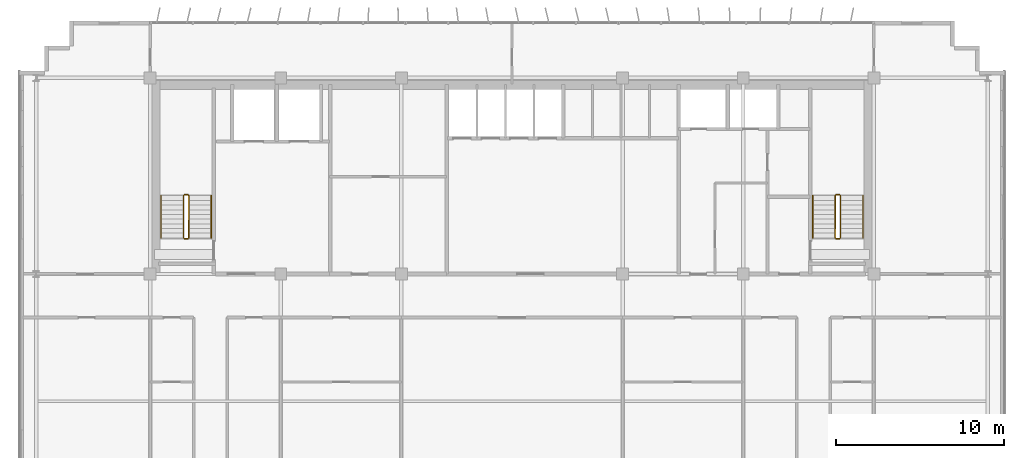
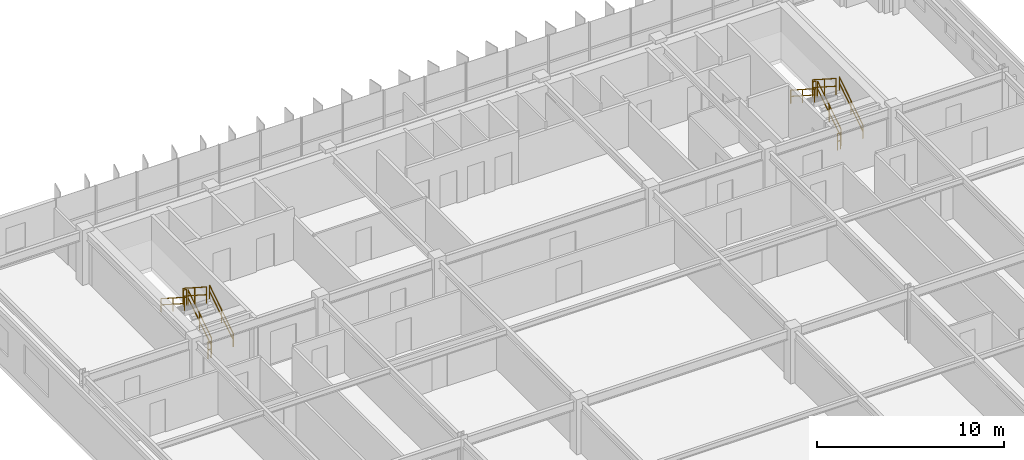
# One storey, part 20 of 20: 12 railings.
"""IFC4 building model written with IfcOpenShell, lengths in metres."""

from ifc_helpers import new_model, si_unit, direction, frame, origin, origin_2d, place, context, subcontext, project, spatial, rectangle, extrude, material, type_object, element, save


model = new_model("IFC4")

# Units and contexts
model_context = context("Model", 3, precision=1e-05, world=origin(), true_north=direction((0.0, 1.0)))
body_context = subcontext(model_context, "Body", "Model", "MODEL_VIEW")
ifc_project = project(units=[si_unit("LENGTHUNIT", "METRE"), si_unit("AREAUNIT", "SQUARE_METRE"), si_unit("VOLUMEUNIT", "CUBIC_METRE"), si_unit("PLANEANGLEUNIT", "RADIAN"), si_unit("MASSUNIT", "GRAM", prefix="KILO")], contexts=[model_context])

# Site, building, storey
site_placement = place(None, origin())
site = spatial("IfcSite", under=ifc_project, at=site_placement, CompositionType="ELEMENT")
building_placement = place(site_placement, origin())
building = spatial("IfcBuilding", under=site, at=building_placement, Name="Trelvane Seafront Commons", CompositionType="ELEMENT")
storey_placement = place(building_placement, frame((0.0, 0.0, 146.5)))
storey = spatial("IfcBuildingStorey", under=building, at=storey_placement, Name="L38", CompositionType="ELEMENT", Elevation=146.5)

# Railings
ifc_material = material(Name="Stainless steel balustrade", Category="steel")
railing_type_1 = type_object("IfcRailingType", Name="ARCH-SRL-GUARD", PredefinedType="GUARDRAIL", material=ifc_material)
railing_1_placement = place(storey_placement, frame((17.89990234375, 35.550048828125, 0.179931640625)))
element("IfcRailing", 1, at=railing_1_placement, inside=storey, type_object=railing_type_1, Name="L38 ST-1 stair guard 1", PredefinedType="GUARDRAIL", context=body_context, shape_type="SweptSolid", body=[
    extrude(rectangle(XDim=0.048095703125, YDim=0.048095703125, at=origin_2d()), frame((0.0, 0.0, 1.076171875), z_axis=(0.0, 0.841162588446, 0.540782303519), x_axis=(-1.0, 0.0, 0.0)), (0.0, 0.0, 1.0), 2.995849609375),
    extrude(rectangle(XDim=0.048095703125, YDim=0.048095703125, at=origin_2d()), frame((0.0, 0.0, 0.572021484375), z_axis=(0.0, 0.841162588446, 0.540782303519), x_axis=(-1.0, 0.0, 0.0)), (0.0, 0.0, 1.0), 2.995849609375),
    extrude(rectangle(XDim=0.0419921875, YDim=0.0419921875, at=origin_2d()), origin(), (0.0, 0.0, 1.0), 1.076171875),
    extrude(rectangle(XDim=0.0419921875, YDim=0.0419921875, at=origin_2d()), frame((0.0, 1.260009765625, 0.81005859375)), (0.0, 0.0, 1.0), 1.076171875),
    extrude(rectangle(XDim=0.0419921875, YDim=0.0419921875, at=origin_2d()), frame((0.0, 2.52001953125, 1.6201171875)), (0.0, 0.0, 1.0), 1.076171875),
])
railing_2_placement = place(storey_placement, frame((17.85009765625, 38.1201171875, 1.800048828125)))
element("IfcRailing", 2, at=railing_2_placement, inside=storey, type_object=railing_type_1, Name="L38 ST-1 stair guard 2", PredefinedType="GUARDRAIL", context=body_context, shape_type="SweptSolid", body=[
    extrude(rectangle(XDim=0.048095703125, YDim=0.048095703125, at=origin_2d()), frame((0.0, 0.0, 1.076171875), z_axis=(-1.0, 0.0, 0.0), x_axis=(0.0, -1.0, 0.0)), (0.0, 0.0, 1.0), 0.2001953125),
    extrude(rectangle(XDim=0.048095703125, YDim=0.048095703125, at=origin_2d()), frame((0.0, 0.0, 0.572021484375), z_axis=(-1.0, 0.0, 0.0), x_axis=(0.0, -1.0, 0.0)), (0.0, 0.0, 1.0), 0.2001953125),
    extrude(rectangle(XDim=0.0419921875, YDim=0.0419921875, at=origin_2d()), origin(), (0.0, 0.0, 1.0), 1.076171875),
    extrude(rectangle(XDim=0.0419921875, YDim=0.0419921875, at=origin_2d()), frame((-0.2001953125, 0.0, 0.0)), (0.0, 0.0, 1.0), 1.076171875),
])
railing_3_placement = place(storey_placement, frame((17.60009765625, 38.070068359375, 1.97998046875)))
element("IfcRailing", 3, at=railing_3_placement, inside=storey, type_object=railing_type_1, Name="L38 ST-1 stair guard 3", PredefinedType="GUARDRAIL", context=body_context, shape_type="SweptSolid", body=[
    extrude(rectangle(XDim=0.048095703125, YDim=0.048095703125, at=origin_2d()), frame((0.0, 0.0, 1.076171875), z_axis=(0.0, -0.841162588446, 0.540782303519), x_axis=(1.0, 0.0, 0.0)), (0.0, 0.0, 1.0), 2.995849609375),
    extrude(rectangle(XDim=0.048095703125, YDim=0.048095703125, at=origin_2d()), frame((0.0, 0.0, 0.572021484375), z_axis=(0.0, -0.841162588446, 0.540782303519), x_axis=(1.0, 0.0, 0.0)), (0.0, 0.0, 1.0), 2.995849609375),
    extrude(rectangle(XDim=0.0419921875, YDim=0.0419921875, at=origin_2d()), origin(), (0.0, 0.0, 1.0), 1.076171875),
    extrude(rectangle(XDim=0.0419921875, YDim=0.0419921875, at=origin_2d()), frame((0.0, -1.260009765625, 0.81005859375)), (0.0, 0.0, 1.0), 1.076171875),
    extrude(rectangle(XDim=0.0419921875, YDim=0.0419921875, at=origin_2d()), frame((0.0, -2.52001953125, 1.6201171875)), (0.0, 0.0, 1.0), 1.076171875),
])
railing_4_placement = place(storey_placement, frame((17.85009765625, 35.5, 0.0)))
element("IfcRailing", 4, at=railing_4_placement, inside=storey, type_object=railing_type_1, Name="L38 ST-1 stair guard 4", PredefinedType="GUARDRAIL", context=body_context, shape_type="SweptSolid", body=[
    extrude(rectangle(XDim=0.048095703125, YDim=0.048095703125, at=origin_2d()), frame((0.0, 0.0, 1.076171875), z_axis=(-1.0, 0.0, 0.0), x_axis=(0.0, -1.0, 0.0)), (0.0, 0.0, 1.0), 0.2001953125),
    extrude(rectangle(XDim=0.048095703125, YDim=0.048095703125, at=origin_2d()), frame((0.0, 0.0, 0.572021484375), z_axis=(-1.0, 0.0, 0.0), x_axis=(0.0, -1.0, 0.0)), (0.0, 0.0, 1.0), 0.2001953125),
    extrude(rectangle(XDim=0.0419921875, YDim=0.0419921875, at=origin_2d()), origin(), (0.0, 0.0, 1.0), 1.076171875),
    extrude(rectangle(XDim=0.0419921875, YDim=0.0419921875, at=origin_2d()), frame((-0.2001953125, 0.0, 0.0)), (0.0, 0.0, 1.0), 1.076171875),
])
railing_5_placement = place(storey_placement, frame((56.800048828125, 35.550048828125, 0.179931640625)))
element("IfcRailing", 5, at=railing_5_placement, inside=storey, type_object=railing_type_1, Name="L38 ST-2 stair guard 1", PredefinedType="GUARDRAIL", context=body_context, shape_type="SweptSolid", body=[
    extrude(rectangle(XDim=0.048095703125, YDim=0.048095703125, at=origin_2d()), frame((0.0, 0.0, 1.076171875), z_axis=(0.0, 0.841162588446, 0.540782303519), x_axis=(-1.0, 0.0, 0.0)), (0.0, 0.0, 1.0), 2.995849609375),
    extrude(rectangle(XDim=0.048095703125, YDim=0.048095703125, at=origin_2d()), frame((0.0, 0.0, 0.572021484375), z_axis=(0.0, 0.841162588446, 0.540782303519), x_axis=(-1.0, 0.0, 0.0)), (0.0, 0.0, 1.0), 2.995849609375),
    extrude(rectangle(XDim=0.0419921875, YDim=0.0419921875, at=origin_2d()), origin(), (0.0, 0.0, 1.0), 1.076171875),
    extrude(rectangle(XDim=0.0419921875, YDim=0.0419921875, at=origin_2d()), frame((0.0, 1.260009765625, 0.81005859375)), (0.0, 0.0, 1.0), 1.076171875),
    extrude(rectangle(XDim=0.0419921875, YDim=0.0419921875, at=origin_2d()), frame((0.0, 2.52001953125, 1.6201171875)), (0.0, 0.0, 1.0), 1.076171875),
])
railing_6_placement = place(storey_placement, frame((56.75, 38.1201171875, 1.800048828125)))
element("IfcRailing", 6, at=railing_6_placement, inside=storey, type_object=railing_type_1, Name="L38 ST-2 stair guard 2", PredefinedType="GUARDRAIL", context=body_context, shape_type="SweptSolid", body=[
    extrude(rectangle(XDim=0.048095703125, YDim=0.048095703125, at=origin_2d()), frame((0.0, 0.0, 1.076171875), z_axis=(-1.0, 0.0, 0.0), x_axis=(0.0, -1.0, 0.0)), (0.0, 0.0, 1.0), 0.199951171875),
    extrude(rectangle(XDim=0.048095703125, YDim=0.048095703125, at=origin_2d()), frame((0.0, 0.0, 0.572021484375), z_axis=(-1.0, 0.0, 0.0), x_axis=(0.0, -1.0, 0.0)), (0.0, 0.0, 1.0), 0.199951171875),
    extrude(rectangle(XDim=0.0419921875, YDim=0.0419921875, at=origin_2d()), origin(), (0.0, 0.0, 1.0), 1.076171875),
    extrude(rectangle(XDim=0.0419921875, YDim=0.0419921875, at=origin_2d()), frame((-0.199951171875, 0.0, 0.0)), (0.0, 0.0, 1.0), 1.076171875),
])
railing_7_placement = place(storey_placement, frame((56.5, 38.070068359375, 1.97998046875)))
element("IfcRailing", 7, at=railing_7_placement, inside=storey, type_object=railing_type_1, Name="L38 ST-2 stair guard 3", PredefinedType="GUARDRAIL", context=body_context, shape_type="SweptSolid", body=[
    extrude(rectangle(XDim=0.048095703125, YDim=0.048095703125, at=origin_2d()), frame((0.0, 0.0, 1.076171875), z_axis=(0.0, -0.841162588446, 0.540782303519), x_axis=(1.0, 0.0, 0.0)), (0.0, 0.0, 1.0), 2.995849609375),
    extrude(rectangle(XDim=0.048095703125, YDim=0.048095703125, at=origin_2d()), frame((0.0, 0.0, 0.572021484375), z_axis=(0.0, -0.841162588446, 0.540782303519), x_axis=(1.0, 0.0, 0.0)), (0.0, 0.0, 1.0), 2.995849609375),
    extrude(rectangle(XDim=0.0419921875, YDim=0.0419921875, at=origin_2d()), origin(), (0.0, 0.0, 1.0), 1.076171875),
    extrude(rectangle(XDim=0.0419921875, YDim=0.0419921875, at=origin_2d()), frame((0.0, -1.260009765625, 0.81005859375)), (0.0, 0.0, 1.0), 1.076171875),
    extrude(rectangle(XDim=0.0419921875, YDim=0.0419921875, at=origin_2d()), frame((0.0, -2.52001953125, 1.6201171875)), (0.0, 0.0, 1.0), 1.076171875),
])
railing_8_placement = place(storey_placement, frame((56.75, 35.5, 0.0)))
element("IfcRailing", 8, at=railing_8_placement, inside=storey, type_object=railing_type_1, Name="L38 ST-2 stair guard 4", PredefinedType="GUARDRAIL", context=body_context, shape_type="SweptSolid", body=[
    extrude(rectangle(XDim=0.048095703125, YDim=0.048095703125, at=origin_2d()), frame((0.0, 0.0, 1.076171875), z_axis=(-1.0, 0.0, 0.0), x_axis=(0.0, -1.0, 0.0)), (0.0, 0.0, 1.0), 0.199951171875),
    extrude(rectangle(XDim=0.048095703125, YDim=0.048095703125, at=origin_2d()), frame((0.0, 0.0, 0.572021484375), z_axis=(-1.0, 0.0, 0.0), x_axis=(0.0, -1.0, 0.0)), (0.0, 0.0, 1.0), 0.199951171875),
    extrude(rectangle(XDim=0.0419921875, YDim=0.0419921875, at=origin_2d()), origin(), (0.0, 0.0, 1.0), 1.076171875),
    extrude(rectangle(XDim=0.0419921875, YDim=0.0419921875, at=origin_2d()), frame((-0.199951171875, 0.0, 0.0)), (0.0, 0.0, 1.0), 1.076171875),
])
railing_type_2 = type_object("IfcRailingType", Name="ARCH-SRL-HAND", PredefinedType="HANDRAIL", material=ifc_material)
railing_9_placement = place(storey_placement, frame((19.25, 35.550048828125, 0.179931640625)))
element("IfcRailing", 9, at=railing_9_placement, inside=storey, type_object=railing_type_2, Name="L38 ST-1 stair handrail 1", PredefinedType="HANDRAIL", context=body_context, shape_type="SweptSolid", body=[
    extrude(rectangle(XDim=0.048095703125, YDim=0.048095703125, at=origin_2d()), frame((0.0, 0.0, 0.8759765625), z_axis=(0.0, 0.841162588446, 0.540782303519), x_axis=(-1.0, 0.0, 0.0)), (0.0, 0.0, 1.0), 2.995849609375),
    extrude(rectangle(XDim=0.048095703125, YDim=0.048095703125, at=origin_2d()), frame((0.0, 0.0, 0.468017578125), z_axis=(0.0, 0.841162588446, 0.540782303519), x_axis=(-1.0, 0.0, 0.0)), (0.0, 0.0, 1.0), 2.995849609375),
    extrude(rectangle(XDim=0.0419921875, YDim=0.0419921875, at=origin_2d()), origin(), (0.0, 0.0, 1.0), 0.8759765625),
    extrude(rectangle(XDim=0.0419921875, YDim=0.0419921875, at=origin_2d()), frame((0.0, 1.260009765625, 0.81005859375)), (0.0, 0.0, 1.0), 0.8759765625),
    extrude(rectangle(XDim=0.0419921875, YDim=0.0419921875, at=origin_2d()), frame((0.0, 2.52001953125, 1.6201171875)), (0.0, 0.0, 1.0), 0.8759765625),
])
railing_10_placement = place(storey_placement, frame((16.25, 38.070068359375, 1.97998046875)))
element("IfcRailing", 10, at=railing_10_placement, inside=storey, type_object=railing_type_2, Name="L38 ST-1 stair handrail 2", PredefinedType="HANDRAIL", context=body_context, shape_type="SweptSolid", body=[
    extrude(rectangle(XDim=0.048095703125, YDim=0.048095703125, at=origin_2d()), frame((0.0, 0.0, 0.8759765625), z_axis=(0.0, -0.841162588446, 0.540782303519), x_axis=(1.0, 0.0, 0.0)), (0.0, 0.0, 1.0), 2.995849609375),
    extrude(rectangle(XDim=0.048095703125, YDim=0.048095703125, at=origin_2d()), frame((0.0, 0.0, 0.468017578125), z_axis=(0.0, -0.841162588446, 0.540782303519), x_axis=(1.0, 0.0, 0.0)), (0.0, 0.0, 1.0), 2.995849609375),
    extrude(rectangle(XDim=0.0419921875, YDim=0.0419921875, at=origin_2d()), origin(), (0.0, 0.0, 1.0), 0.8759765625),
    extrude(rectangle(XDim=0.0419921875, YDim=0.0419921875, at=origin_2d()), frame((0.0, -1.260009765625, 0.81005859375)), (0.0, 0.0, 1.0), 0.8759765625),
    extrude(rectangle(XDim=0.0419921875, YDim=0.0419921875, at=origin_2d()), frame((0.0, -2.52001953125, 1.6201171875)), (0.0, 0.0, 1.0), 0.8759765625),
])
railing_11_placement = place(storey_placement, frame((58.14990234375, 35.550048828125, 0.179931640625)))
element("IfcRailing", 11, at=railing_11_placement, inside=storey, type_object=railing_type_2, Name="L38 ST-2 stair handrail 1", PredefinedType="HANDRAIL", context=body_context, shape_type="SweptSolid", body=[
    extrude(rectangle(XDim=0.048095703125, YDim=0.048095703125, at=origin_2d()), frame((0.0, 0.0, 0.8759765625), z_axis=(0.0, 0.841162588446, 0.540782303519), x_axis=(-1.0, 0.0, 0.0)), (0.0, 0.0, 1.0), 2.995849609375),
    extrude(rectangle(XDim=0.048095703125, YDim=0.048095703125, at=origin_2d()), frame((0.0, 0.0, 0.468017578125), z_axis=(0.0, 0.841162588446, 0.540782303519), x_axis=(-1.0, 0.0, 0.0)), (0.0, 0.0, 1.0), 2.995849609375),
    extrude(rectangle(XDim=0.0419921875, YDim=0.0419921875, at=origin_2d()), origin(), (0.0, 0.0, 1.0), 0.8759765625),
    extrude(rectangle(XDim=0.0419921875, YDim=0.0419921875, at=origin_2d()), frame((0.0, 1.260009765625, 0.81005859375)), (0.0, 0.0, 1.0), 0.8759765625),
    extrude(rectangle(XDim=0.0419921875, YDim=0.0419921875, at=origin_2d()), frame((0.0, 2.52001953125, 1.6201171875)), (0.0, 0.0, 1.0), 0.8759765625),
])
railing_12_placement = place(storey_placement, frame((55.14990234375, 38.070068359375, 1.97998046875)))
element("IfcRailing", 12, at=railing_12_placement, inside=storey, type_object=railing_type_2, Name="L38 ST-2 stair handrail 2", PredefinedType="HANDRAIL", context=body_context, shape_type="SweptSolid", body=[
    extrude(rectangle(XDim=0.048095703125, YDim=0.048095703125, at=origin_2d()), frame((0.0, 0.0, 0.8759765625), z_axis=(0.0, -0.841162588446, 0.540782303519), x_axis=(1.0, 0.0, 0.0)), (0.0, 0.0, 1.0), 2.995849609375),
    extrude(rectangle(XDim=0.048095703125, YDim=0.048095703125, at=origin_2d()), frame((0.0, 0.0, 0.468017578125), z_axis=(0.0, -0.841162588446, 0.540782303519), x_axis=(1.0, 0.0, 0.0)), (0.0, 0.0, 1.0), 2.995849609375),
    extrude(rectangle(XDim=0.0419921875, YDim=0.0419921875, at=origin_2d()), origin(), (0.0, 0.0, 1.0), 0.8759765625),
    extrude(rectangle(XDim=0.0419921875, YDim=0.0419921875, at=origin_2d()), frame((0.0, -1.260009765625, 0.81005859375)), (0.0, 0.0, 1.0), 0.8759765625),
    extrude(rectangle(XDim=0.0419921875, YDim=0.0419921875, at=origin_2d()), frame((0.0, -2.52001953125, 1.6201171875)), (0.0, 0.0, 1.0), 0.8759765625),
])

save(model, "model.ifc")
